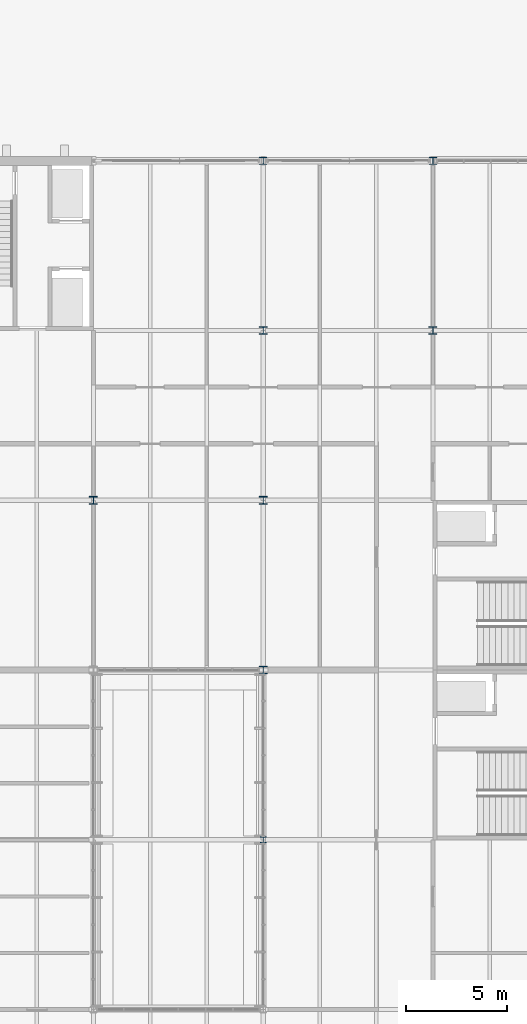
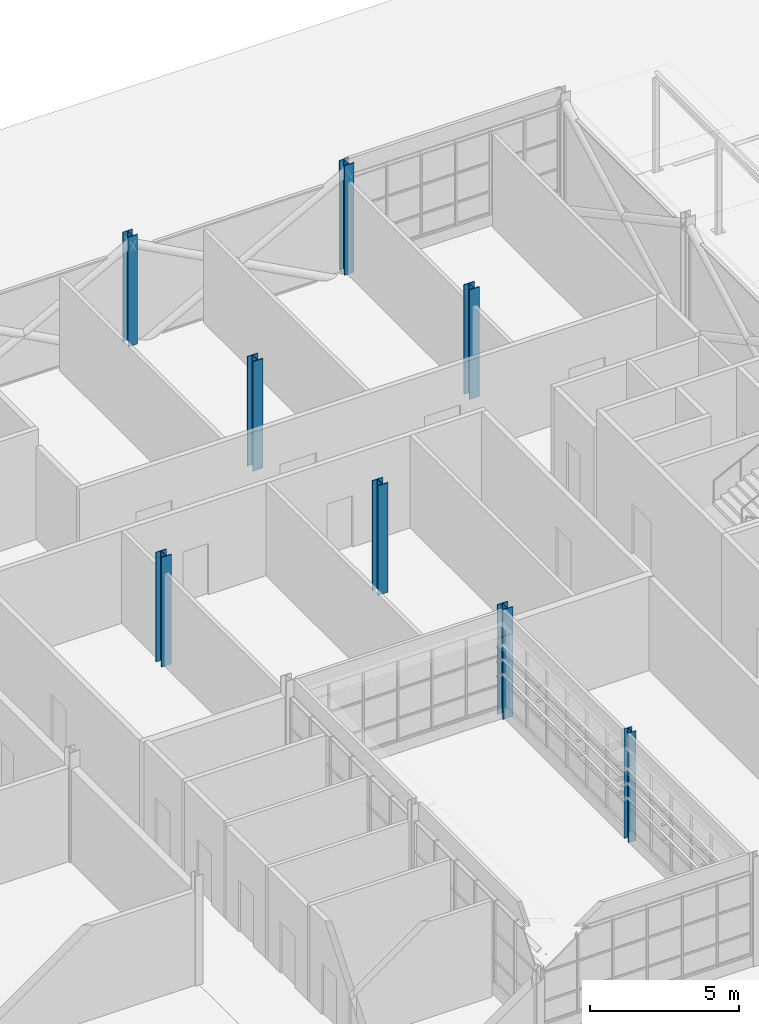
# One storey, part 16 of 116: 8 columns.
"""IFC4 building model written with IfcOpenShell, lengths in metres."""

from ifc_helpers import new_model, si_unit, direction, frame, origin, origin_2d, place, context, subcontext, project, spatial, i_section, extrude, material, material_profile, profile_set, type_object, element, save


model = new_model("IFC4")

# Units and contexts
model_context = context("Model", 3, precision=1e-05, world=origin(), true_north=direction((0.0, 1.0)))
body_context = subcontext(model_context, "Body", "Model", "MODEL_VIEW")
ifc_project = project(units=[si_unit("LENGTHUNIT", "METRE"), si_unit("AREAUNIT", "SQUARE_METRE"), si_unit("VOLUMEUNIT", "CUBIC_METRE"), si_unit("PLANEANGLEUNIT", "RADIAN"), si_unit("MASSUNIT", "GRAM", prefix="KILO")], contexts=[model_context])

# Site, building, storey
site_placement = place(None, origin())
site = spatial("IfcSite", under=ifc_project, at=site_placement, CompositionType="ELEMENT")
building_placement = place(site_placement, origin())
building = spatial("IfcBuilding", under=site, at=building_placement, Name="Ardhachandra Cancer Care Centre", CompositionType="ELEMENT")
storey_placement = place(building_placement, origin())
storey = spatial("IfcBuildingStorey", under=building, at=storey_placement, Name="L00", CompositionType="ELEMENT", Elevation=0.0)

# Columns
ifc_material_1 = material(Name="Steel E350 (IS 2062)", Category="steel")
ifc_material_profile_1 = material_profile(ifc_material_1, i_section(OverallWidth=0.300048828125, OverallDepth=0.300048828125, WebThickness=0.010986328125, FlangeThickness=0.01904296875, FilletRadius=0.027099609375, at=origin_2d()), Name="WPB 300x300x117.03")
ifc_profile_set_1 = profile_set([ifc_material_profile_1], Name="Steel E350 (IS 2062)")
column_type_1 = type_object("IfcColumnType", Name="Column WPB 300x300x117.03", PredefinedType="COLUMN", material=ifc_profile_set_1)
column_placement = place(storey_placement, frame((128.39990234375, 71.39990234375, 0.0), z_axis=(0.0, 0.0, 1.0), x_axis=(1.0, 0.0, 0.0)))
element("IfcColumn", 1, at=column_placement, inside=storey, type_object=column_type_1, Name="Column H15 L00", PredefinedType="COLUMN", context=body_context, shape_type="SweptSolid", body=[
    extrude(i_section(OverallWidth=0.300048828125, OverallDepth=0.300048828125, WebThickness=0.010986328125, FlangeThickness=0.01904296875, FilletRadius=0.027099609375, at=origin_2d()), origin(), (0.0, 0.0, 1.0), 4.5),
])
ifc_material_2 = material(Name="Steel E350 (IS 2062)", Category="steel")
ifc_material_profile_2 = material_profile(ifc_material_2, i_section(OverallWidth=0.37109375, OverallDepth=0.364013671875, WebThickness=0.01318359375, FlangeThickness=0.021728515625, FilletRadius=0.027099609375, at=origin_2d()), Name="WPB 360x370x165.34")
ifc_profile_set_2 = profile_set([ifc_material_profile_2], Name="Steel E350 (IS 2062)")
column_type_2 = type_object("IfcColumnType", Name="Column WPB 360x370x165.34", PredefinedType="COLUMN", material=ifc_profile_set_2)
for number, where, z_axis, x_axis, name in (
    (2, (128.39990234375, 105.0, 0.0), (0.0, 0.0, 1.0), (1.0, 0.0, 0.0), "Column M15 L00"),
    (3, (136.800048828125, 105.0, 0.0), (0.0, 0.0, 1.0), (1.0, 0.0, 0.0), "Column M16 L00"),
):
    element("IfcColumn", number, at=place(storey_placement, frame(where, z_axis=z_axis, x_axis=x_axis)), inside=storey, type_object=column_type_2, Name=name, PredefinedType="COLUMN", context=body_context, shape_type="SweptSolid", body=[
        extrude(i_section(OverallWidth=0.37109375, OverallDepth=0.364013671875, WebThickness=0.01318359375, FlangeThickness=0.021728515625, FilletRadius=0.027099609375, at=origin_2d()), origin(), (0.0, 0.0, 1.0), 4.5),
    ])
ifc_material_3 = material(Name="Steel E350 (IS 2062)", Category="steel")
ifc_material_profile_3 = material_profile(ifc_material_3, i_section(OverallWidth=0.39501953125, OverallDepth=0.3798828125, WebThickness=0.018798828125, FlangeThickness=0.0302734375, FilletRadius=0.027099609375, at=origin_2d()), Name="WPB 400x400x239.62")
ifc_profile_set_3 = profile_set([ifc_material_profile_3], Name="Steel E350 (IS 2062)")
column_type_3 = type_object("IfcColumnType", Name="Column WPB 400x400x239.62", PredefinedType="COLUMN", material=ifc_profile_set_3)
for number, where, z_axis, x_axis, name in (
    (4, (128.39990234375, 79.800048828125, 0.0), (0.0, 0.0, 1.0), (1.0, 0.0, 0.0), "Column J15 L00"),
    (5, (120.0, 88.199951171875, 0.0), (0.0, 0.0, 1.0), (1.0, 0.0, 0.0), "Column K14 L00"),
    (6, (128.39990234375, 88.199951171875, 0.0), (0.0, 0.0, 1.0), (1.0, 0.0, 0.0), "Column K15 L00"),
    (7, (128.39990234375, 96.60009765625, 0.0), (0.0, 0.0, 1.0), (1.0, 0.0, 0.0), "Column L15 L00"),
    (8, (136.800048828125, 96.60009765625, 0.0), (0.0, 0.0, 1.0), (1.0, 0.0, 0.0), "Column L16 L00"),
):
    element("IfcColumn", number, at=place(storey_placement, frame(where, z_axis=z_axis, x_axis=x_axis)), inside=storey, type_object=column_type_3, Name=name, PredefinedType="COLUMN", context=body_context, shape_type="SweptSolid", body=[
        extrude(i_section(OverallWidth=0.39501953125, OverallDepth=0.3798828125, WebThickness=0.018798828125, FlangeThickness=0.0302734375, FilletRadius=0.027099609375, at=origin_2d()), origin(), (0.0, 0.0, 1.0), 4.5),
    ])

save(model, "model.ifc")
